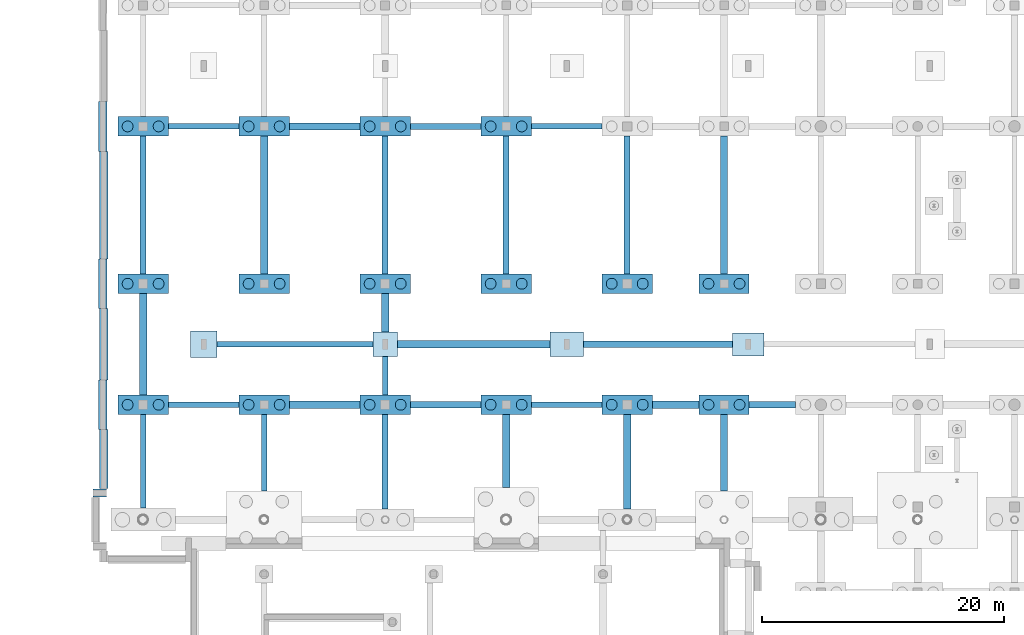
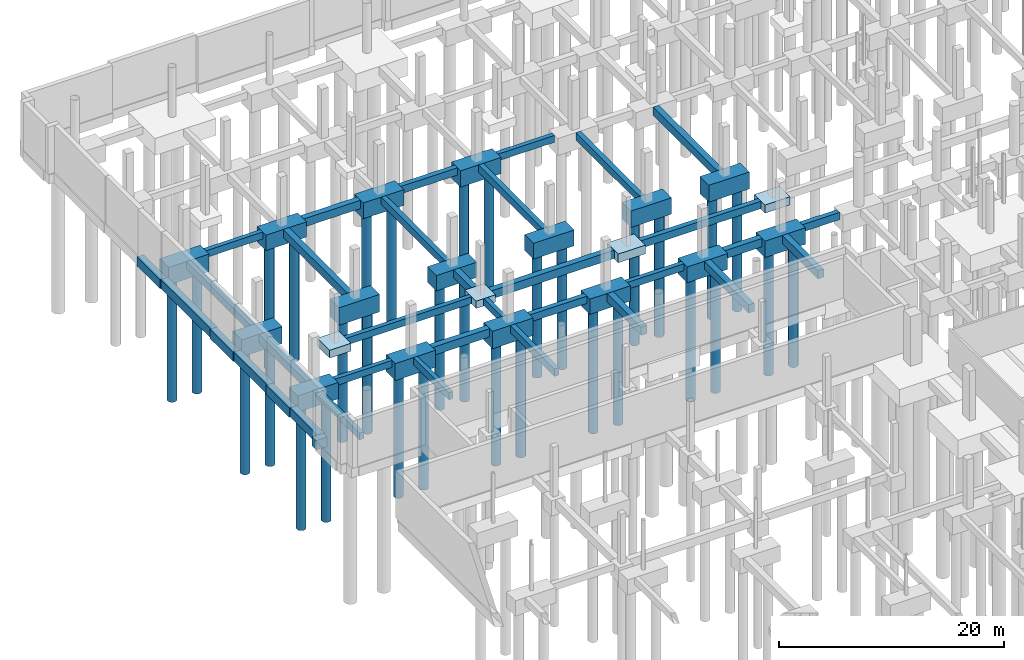
# One storey, part 12 of 65: 55 footings, 32 piles.
"""IFC4 building model written with IfcOpenShell, lengths in metres."""

from ifc_helpers import new_model, si_unit, direction, frame, origin, origin_2d, place, context, subcontext, project, spatial, rectangle, circle, extrude, material, material_profile, profile_set, type_object, element, save


model = new_model("IFC4")

# Units and contexts
model_context = context("Model", 3, precision=1e-05, world=origin(), true_north=direction((0.0, 1.0)))
body_context = subcontext(model_context, "Body", "Model", "MODEL_VIEW")
ifc_project = project(units=[si_unit("LENGTHUNIT", "METRE"), si_unit("AREAUNIT", "SQUARE_METRE"), si_unit("VOLUMEUNIT", "CUBIC_METRE"), si_unit("PLANEANGLEUNIT", "RADIAN"), si_unit("MASSUNIT", "GRAM", prefix="KILO")], contexts=[model_context])

# Site, building, storey
site_placement = place(None, origin())
site = spatial("IfcSite", under=ifc_project, at=site_placement, CompositionType="ELEMENT")
building_placement = place(site_placement, origin())
building = spatial("IfcBuilding", under=site, at=building_placement, Name="Khorjan Park Terminus", CompositionType="ELEMENT")
storey_placement = place(building_placement, frame((0.0, 0.0, -5.4)))
storey = spatial("IfcBuildingStorey", under=building, at=storey_placement, Name="B1", CompositionType="ELEMENT", Elevation=-5.4)

# Footings
ifc_material = material(Name="Concrete C40/50", Category="concrete")
ifc_material_profile_1 = material_profile(ifc_material, rectangle(XDim=0.45, YDim=0.75, at=origin_2d()), Name="RC 450x750")
ifc_profile_set_1 = profile_set([ifc_material_profile_1], Name="Concrete C40/50")
footing_type_1 = type_object("IfcFootingType", Name="FTG-GB-450x750", PredefinedType="FOOTING_BEAM", material=ifc_profile_set_1)
footing_1_placement = place(storey_placement, frame((2.083, 111.5, -0.375), z_axis=(1.0, 0.0, 0.0), x_axis=(0.0, 1.0, 0.0)))
element("IfcFooting", 1, at=footing_1_placement, inside=storey, type_object=footing_type_1, Name="Reinforced concrete ground tie beam FB-07 (107)", PredefinedType="FOOTING_BEAM", context=body_context, shape_type="SweptSolid", body=[
    extrude(rectangle(XDim=0.45, YDim=0.75, at=origin_2d()), origin(), (0.0, 0.0, 1.0), 5.835),
])
footing_2_placement = place(storey_placement, frame((32.083, 111.5, -0.375), z_axis=(1.0, 0.0, 0.0), x_axis=(0.0, 1.0, 0.0)))
element("IfcFooting", 2, at=footing_2_placement, inside=storey, type_object=footing_type_1, Name="Reinforced concrete ground tie beam FB-07 (110)", PredefinedType="FOOTING_BEAM", context=body_context, shape_type="SweptSolid", body=[
    extrude(rectangle(XDim=0.45, YDim=0.75, at=origin_2d()), origin(), (0.0, 0.0, 1.0), 5.834),
])
footing_3_placement = place(storey_placement, frame((6.1, 116.5, -0.375), z_axis=(1.0, 0.0, 0.0), x_axis=(0.0, 1.0, 0.0)))
element("IfcFooting", 3, at=footing_3_placement, inside=storey, type_object=footing_type_1, Name="Reinforced concrete ground tie beam FB-07 (125)", PredefinedType="FOOTING_BEAM", context=body_context, shape_type="SweptSolid", body=[
    extrude(rectangle(XDim=0.45, YDim=0.75, at=origin_2d()), origin(), (0.0, 0.0, 1.0), 12.9),
])
footing_4_placement = place(storey_placement, frame((2.083, 134.5, -0.375), z_axis=(1.0, 0.0, 0.0), x_axis=(0.0, 1.0, 0.0)))
element("IfcFooting", 4, at=footing_4_placement, inside=storey, type_object=footing_type_1, Name="Reinforced concrete ground tie beam FB-07 (134)", PredefinedType="FOOTING_BEAM", context=body_context, shape_type="SweptSolid", body=[
    extrude(rectangle(XDim=0.45, YDim=0.75, at=origin_2d()), origin(), (0.0, 0.0, 1.0), 5.835),
])
footing_5_placement = place(storey_placement, frame((32.083, 134.5, -0.375), z_axis=(1.0, 0.0, 0.0), x_axis=(0.0, 1.0, 0.0)))
element("IfcFooting", 5, at=footing_5_placement, inside=storey, type_object=footing_type_1, Name="Reinforced concrete ground tie beam FB-07 (137)", PredefinedType="FOOTING_BEAM", context=body_context, shape_type="SweptSolid", body=[
    extrude(rectangle(XDim=0.45, YDim=0.75, at=origin_2d()), origin(), (0.0, 0.0, 1.0), 5.834),
])
footing_6_placement = place(storey_placement, frame((0.0, 102.95, -0.375), z_axis=(0.0, 1.0, 0.0), x_axis=(-1.0, 0.0, 0.0)))
element("IfcFooting", 6, at=footing_6_placement, inside=storey, type_object=footing_type_1, Name="Reinforced concrete ground tie beam FB-07 (182)", PredefinedType="FOOTING_BEAM", context=body_context, shape_type="SweptSolid", body=[
    extrude(rectangle(XDim=0.45, YDim=0.75, at=origin_2d()), origin(), (0.0, 0.0, 1.0), 7.75),
])
footing_7_placement = place(storey_placement, frame((10.0, 104.371, -0.375), z_axis=(0.0, 1.0, 0.0), x_axis=(-1.0, 0.0, 0.0)))
element("IfcFooting", 7, at=footing_7_placement, inside=storey, type_object=footing_type_1, Name="Reinforced concrete ground tie beam FB-07 (191)", PredefinedType="FOOTING_BEAM", context=body_context, shape_type="SweptSolid", body=[
    extrude(rectangle(XDim=0.45, YDim=0.75, at=origin_2d()), origin(), (0.0, 0.0, 1.0), 6.329),
])
footing_8_placement = place(storey_placement, frame((20.0, 112.3, -0.375), z_axis=(0.0, 1.0, 0.0), x_axis=(-1.0, 0.0, 0.0)))
element("IfcFooting", 8, at=footing_8_placement, inside=storey, type_object=footing_type_1, Name="Reinforced concrete ground tie beam FB-07 (197)", PredefinedType="FOOTING_BEAM", context=body_context, shape_type="SweptSolid", body=[
    extrude(rectangle(XDim=0.45, YDim=0.75, at=origin_2d()), origin(), (0.0, 0.0, 1.0), 3.2),
])
ifc_material_profile_2 = material_profile(ifc_material, rectangle(XDim=0.5, YDim=0.8, at=origin_2d()), Name="RC 500x800")
ifc_profile_set_2 = profile_set([ifc_material_profile_2], Name="Concrete C40/50")
footing_type_2 = type_object("IfcFootingType", Name="FTG-GB-500x800", PredefinedType="FOOTING_BEAM", material=ifc_profile_set_2)
footing_9_placement = place(storey_placement, frame((22.082, 111.5, -0.4), z_axis=(1.0, 0.0, 0.0), x_axis=(0.0, 1.0, 0.0)))
element("IfcFooting", 9, at=footing_9_placement, inside=storey, type_object=footing_type_2, Name="Reinforced concrete ground tie beam FB-08 (109)", PredefinedType="FOOTING_BEAM", context=body_context, shape_type="SweptSolid", body=[
    extrude(rectangle(XDim=0.5, YDim=0.8, at=origin_2d()), origin(), (0.0, 0.0, 1.0), 5.836),
])
footing_10_placement = place(storey_placement, frame((50.083, 111.5, -0.4), z_axis=(1.0, 0.0, 0.0), x_axis=(0.0, 1.0, 0.0)))
element("IfcFooting", 10, at=footing_10_placement, inside=storey, type_object=footing_type_2, Name="Reinforced concrete ground tie beam FB-08 (112)", PredefinedType="FOOTING_BEAM", context=body_context, shape_type="SweptSolid", body=[
    extrude(rectangle(XDim=0.5, YDim=0.8, at=origin_2d()), origin(), (0.0, 0.0, 1.0), 3.834),
])
footing_11_placement = place(storey_placement, frame((36.4, 116.5, -0.4), z_axis=(1.0, 0.0, 0.0), x_axis=(0.0, 1.0, 0.0)))
element("IfcFooting", 11, at=footing_11_placement, inside=storey, type_object=footing_type_2, Name="Reinforced concrete ground tie beam FB-08 (127)", PredefinedType="FOOTING_BEAM", context=body_context, shape_type="SweptSolid", body=[
    extrude(rectangle(XDim=0.5, YDim=0.8, at=origin_2d()), origin(), (0.0, 0.0, 1.0), 12.3),
])
footing_12_placement = place(storey_placement, frame((22.082, 134.5, -0.4), z_axis=(1.0, 0.0, 0.0), x_axis=(0.0, 1.0, 0.0)))
element("IfcFooting", 12, at=footing_12_placement, inside=storey, type_object=footing_type_2, Name="Reinforced concrete ground tie beam FB-08 (136)", PredefinedType="FOOTING_BEAM", context=body_context, shape_type="SweptSolid", body=[
    extrude(rectangle(XDim=0.5, YDim=0.8, at=origin_2d()), origin(), (0.0, 0.0, 1.0), 5.836),
])
footing_13_placement = place(storey_placement, frame((0.0, 122.3, -0.4), z_axis=(0.0, 1.0, 0.0), x_axis=(-1.0, 0.0, 0.0)))
element("IfcFooting", 13, at=footing_13_placement, inside=storey, type_object=footing_type_2, Name="Reinforced concrete ground tie beam FB-08 (184)", PredefinedType="FOOTING_BEAM", context=body_context, shape_type="SweptSolid", body=[
    extrude(rectangle(XDim=0.5, YDim=0.8, at=origin_2d()), origin(), (0.0, 0.0, 1.0), 11.4),
])
footing_14_placement = place(storey_placement, frame((20.0, 102.875, -0.4), z_axis=(0.0, 1.0, 0.0), x_axis=(-1.0, 0.0, 0.0)))
element("IfcFooting", 14, at=footing_14_placement, inside=storey, type_object=footing_type_2, Name="Reinforced concrete ground tie beam FB-08 (196)", PredefinedType="FOOTING_BEAM", context=body_context, shape_type="SweptSolid", body=[
    extrude(rectangle(XDim=0.5, YDim=0.8, at=origin_2d()), origin(), (0.0, 0.0, 1.0), 7.825),
])
for number, where, z_axis, x_axis, name in (
    (15, (20.0, 122.3, -0.4), (0.0, 1.0, 0.0), (-1.0, 0.0, 0.0), "Reinforced concrete ground tie beam FB-08 (199)"),
    (16, (30.0, 122.3, -0.4), (0.0, 1.0, 0.0), (-1.0, 0.0, 0.0), "Reinforced concrete ground tie beam FB-08 (208)"),
    (17, (40.0, 122.3, -0.4), (0.0, 1.0, 0.0), (-1.0, 0.0, 0.0), "Reinforced concrete ground tie beam FB-08 (217)"),
):
    element("IfcFooting", number, at=place(storey_placement, frame(where, z_axis=z_axis, x_axis=x_axis)), inside=storey, type_object=footing_type_2, Name=name, PredefinedType="FOOTING_BEAM", context=body_context, shape_type="SweptSolid", body=[
        extrude(rectangle(XDim=0.5, YDim=0.8, at=origin_2d()), origin(), (0.0, 0.0, 1.0), 11.4),
    ])
ifc_material_profile_3 = material_profile(ifc_material, rectangle(XDim=0.6, YDim=0.9, at=origin_2d()), Name="RC 600x900")
ifc_profile_set_3 = profile_set([ifc_material_profile_3], Name="Concrete C40/50")
footing_type_3 = type_object("IfcFootingType", Name="FTG-GB-600x900", PredefinedType="FOOTING_BEAM", material=ifc_profile_set_3)
footing_15_placement = place(storey_placement, frame((12.082, 111.5, -0.45), z_axis=(1.0, 0.0, 0.0), x_axis=(0.0, 1.0, 0.0)))
element("IfcFooting", 18, at=footing_15_placement, inside=storey, type_object=footing_type_3, Name="Reinforced concrete ground tie beam FB-09 (108)", PredefinedType="FOOTING_BEAM", context=body_context, shape_type="SweptSolid", body=[
    extrude(rectangle(XDim=0.6, YDim=0.9, at=origin_2d()), origin(), (0.0, 0.0, 1.0), 5.836),
])
footing_16_placement = place(storey_placement, frame((42.083, 111.5, -0.45), z_axis=(1.0, 0.0, 0.0), x_axis=(0.0, 1.0, 0.0)))
element("IfcFooting", 19, at=footing_16_placement, inside=storey, type_object=footing_type_3, Name="Reinforced concrete ground tie beam FB-09 (111)", PredefinedType="FOOTING_BEAM", context=body_context, shape_type="SweptSolid", body=[
    extrude(rectangle(XDim=0.6, YDim=0.9, at=origin_2d()), origin(), (0.0, 0.0, 1.0), 3.834),
])
footing_17_placement = place(storey_placement, frame((21.0, 116.5, -0.45), z_axis=(1.0, 0.0, 0.0), x_axis=(0.0, 1.0, 0.0)))
element("IfcFooting", 20, at=footing_17_placement, inside=storey, type_object=footing_type_3, Name="Reinforced concrete ground tie beam FB-09 (126)", PredefinedType="FOOTING_BEAM", context=body_context, shape_type="SweptSolid", body=[
    extrude(rectangle(XDim=0.6, YDim=0.9, at=origin_2d()), origin(), (0.0, 0.0, 1.0), 12.6),
])
footing_18_placement = place(storey_placement, frame((12.082, 134.5, -0.45), z_axis=(1.0, 0.0, 0.0), x_axis=(0.0, 1.0, 0.0)))
element("IfcFooting", 21, at=footing_18_placement, inside=storey, type_object=footing_type_3, Name="Reinforced concrete ground tie beam FB-09 (135)", PredefinedType="FOOTING_BEAM", context=body_context, shape_type="SweptSolid", body=[
    extrude(rectangle(XDim=0.6, YDim=0.9, at=origin_2d()), origin(), (0.0, 0.0, 1.0), 5.836),
])
footing_19_placement = place(storey_placement, frame((0.0, 112.3, -0.45), z_axis=(0.0, 1.0, 0.0), x_axis=(-1.0, 0.0, 0.0)))
element("IfcFooting", 22, at=footing_19_placement, inside=storey, type_object=footing_type_3, Name="Reinforced concrete ground tie beam FB-09 (183)", PredefinedType="FOOTING_BEAM", context=body_context, shape_type="SweptSolid", body=[
    extrude(rectangle(XDim=0.6, YDim=0.9, at=origin_2d()), origin(), (0.0, 0.0, 1.0), 8.4),
])
footing_20_placement = place(storey_placement, frame((10.0, 122.3, -0.45), z_axis=(0.0, 1.0, 0.0), x_axis=(-1.0, 0.0, 0.0)))
element("IfcFooting", 23, at=footing_20_placement, inside=storey, type_object=footing_type_3, Name="Reinforced concrete ground tie beam FB-09 (192)", PredefinedType="FOOTING_BEAM", context=body_context, shape_type="SweptSolid", body=[
    extrude(rectangle(XDim=0.6, YDim=0.9, at=origin_2d()), origin(), (0.0, 0.0, 1.0), 11.4),
])
footing_21_placement = place(storey_placement, frame((20.0, 117.5, -0.45), z_axis=(0.0, 1.0, 0.0), x_axis=(-1.0, 0.0, 0.0)))
element("IfcFooting", 24, at=footing_21_placement, inside=storey, type_object=footing_type_3, Name="Reinforced concrete ground tie beam FB-09 (198)", PredefinedType="FOOTING_BEAM", context=body_context, shape_type="SweptSolid", body=[
    extrude(rectangle(XDim=0.6, YDim=0.9, at=origin_2d()), origin(), (0.0, 0.0, 1.0), 3.2),
])
footing_22_placement = place(storey_placement, frame((30.0, 104.66, -0.45), z_axis=(0.0, 1.0, 0.0), x_axis=(-1.0, 0.0, 0.0)))
element("IfcFooting", 25, at=footing_22_placement, inside=storey, type_object=footing_type_3, Name="Reinforced concrete ground tie beam FB-09 (207)", PredefinedType="FOOTING_BEAM", context=body_context, shape_type="SweptSolid", body=[
    extrude(rectangle(XDim=0.6, YDim=0.9, at=origin_2d()), origin(), (0.0, 0.0, 1.0), 6.04),
])
footing_23_placement = place(storey_placement, frame((40.0, 102.875, -0.45), z_axis=(0.0, 1.0, 0.0), x_axis=(-1.0, 0.0, 0.0)))
element("IfcFooting", 26, at=footing_23_placement, inside=storey, type_object=footing_type_3, Name="Reinforced concrete ground tie beam FB-09 (216)", PredefinedType="FOOTING_BEAM", context=body_context, shape_type="SweptSolid", body=[
    extrude(rectangle(XDim=0.6, YDim=0.9, at=origin_2d()), origin(), (0.0, 0.0, 1.0), 7.825),
])
footing_24_placement = place(storey_placement, frame((48.0, 104.371, -0.45), z_axis=(0.0, 1.0, 0.0), x_axis=(-1.0, 0.0, 0.0)))
element("IfcFooting", 27, at=footing_24_placement, inside=storey, type_object=footing_type_3, Name="Reinforced concrete ground tie beam FB-09 (231)", PredefinedType="FOOTING_BEAM", context=body_context, shape_type="SweptSolid", body=[
    extrude(rectangle(XDim=0.6, YDim=0.9, at=origin_2d()), origin(), (0.0, 0.0, 1.0), 6.329),
])
footing_25_placement = place(storey_placement, frame((48.0, 122.3, -0.45), z_axis=(0.0, 1.0, 0.0), x_axis=(-1.0, 0.0, 0.0)))
element("IfcFooting", 28, at=footing_25_placement, inside=storey, type_object=footing_type_3, Name="Reinforced concrete ground tie beam FB-09 (232)", PredefinedType="FOOTING_BEAM", context=body_context, shape_type="SweptSolid", body=[
    extrude(rectangle(XDim=0.6, YDim=0.9, at=origin_2d()), origin(), (0.0, 0.0, 1.0), 11.4),
])
footing_type_4 = type_object("IfcFootingType", Name="FTG-PAD-2000", PredefinedType="PAD_FOOTING", material=ifc_material)
footing_26_placement = place(storey_placement, frame((20.0, 116.5, -0.8), z_axis=(0.0, 0.0, 1.0), x_axis=(1.0, 0.0, 0.0)))
element("IfcFooting", 29, at=footing_26_placement, inside=storey, type_object=footing_type_4, Name="Reinforced concrete pad footing PF-20 (2)", PredefinedType="PAD_FOOTING", context=body_context, shape_type="SweptSolid", body=[
    extrude(rectangle(XDim=2.0, YDim=2.0, at=origin_2d()), origin(), (0.0, 0.0, 1.0), 0.8),
])
footing_type_5 = type_object("IfcFootingType", Name="FTG-PAD-2200", PredefinedType="PAD_FOOTING", material=ifc_material)
footing_27_placement = place(storey_placement, frame((5.0, 116.5, -0.85), z_axis=(0.0, 0.0, 1.0), x_axis=(1.0, 0.0, 0.0)))
element("IfcFooting", 30, at=footing_27_placement, inside=storey, type_object=footing_type_5, Name="Reinforced concrete pad footing PF-22 (1)", PredefinedType="PAD_FOOTING", context=body_context, shape_type="SweptSolid", body=[
    extrude(rectangle(XDim=2.2, YDim=2.2, at=origin_2d()), origin(), (0.0, 0.0, 1.0), 0.85),
])
footing_type_6 = type_object("IfcFootingType", Name="FTG-PAD-2600x1900", PredefinedType="PAD_FOOTING", material=ifc_material)
footing_28_placement = place(storey_placement, frame((50.0, 116.5, -0.88), z_axis=(0.0, 0.0, 1.0), x_axis=(1.0, 0.0, 0.0)))
element("IfcFooting", 31, at=footing_28_placement, inside=storey, type_object=footing_type_6, Name="Reinforced concrete pad footing PF-26 (4)", PredefinedType="PAD_FOOTING", context=body_context, shape_type="SweptSolid", body=[
    extrude(rectangle(XDim=2.6, YDim=1.9, at=origin_2d()), origin(), (0.0, 0.0, 1.0), 0.88),
])
footing_type_7 = type_object("IfcFootingType", Name="FTG-PAD-2800x2000", PredefinedType="PAD_FOOTING", material=ifc_material)
footing_29_placement = place(storey_placement, frame((35.0, 116.5, -0.95), z_axis=(0.0, 0.0, 1.0), x_axis=(1.0, 0.0, 0.0)))
element("IfcFooting", 32, at=footing_29_placement, inside=storey, type_object=footing_type_7, Name="Reinforced concrete pad footing PF-28 (3)", PredefinedType="PAD_FOOTING", context=body_context, shape_type="SweptSolid", body=[
    extrude(rectangle(XDim=2.8, YDim=2.0, at=origin_2d()), origin(), (0.0, 0.0, 1.0), 0.95),
])
footing_type_8 = type_object("IfcFootingType", Name="FTG-PC-02", PredefinedType="PILE_CAP", material=ifc_material)
footing_30_placement = place(storey_placement, frame((0.0, 134.5, -1.9), z_axis=(0.0, 0.0, 1.0), x_axis=(1.0, 0.0, 0.0)))
element("IfcFooting", 33, at=footing_30_placement, inside=storey, type_object=footing_type_8, Name="Reinforced concrete pile cap PC-02 (7)", PredefinedType="PILE_CAP", context=body_context, shape_type="SweptSolid", body=[
    extrude(rectangle(XDim=4.166, YDim=1.6, at=origin_2d()), origin(), (0.0, 0.0, 1.0), 1.9),
])
footing_type_9 = type_object("IfcFootingType", Name="FTG-PC-05", PredefinedType="PILE_CAP", material=ifc_material)
footing_31_placement = place(storey_placement, frame((0.0, 111.5, -1.78), z_axis=(0.0, 0.0, 1.0), x_axis=(1.0, 0.0, 0.0)))
element("IfcFooting", 34, at=footing_31_placement, inside=storey, type_object=footing_type_9, Name="Reinforced concrete pile cap PC-05 (5)", PredefinedType="PILE_CAP", context=body_context, shape_type="SweptSolid", body=[
    extrude(rectangle(XDim=4.166, YDim=1.6, at=origin_2d()), origin(), (0.0, 0.0, 1.0), 1.78),
])
footing_32_placement = place(storey_placement, frame((30.0005, 134.5, -1.78), z_axis=(0.0, 0.0, 1.0), x_axis=(1.0, 0.0, 0.0)))
element("IfcFooting", 35, at=footing_32_placement, inside=storey, type_object=footing_type_9, Name="Reinforced concrete pile cap PC-05 (46)", PredefinedType="PILE_CAP", context=body_context, shape_type="SweptSolid", body=[
    extrude(rectangle(XDim=4.165, YDim=1.6, at=origin_2d()), origin(), (0.0, 0.0, 1.0), 1.78),
])
for number, where, z_axis, x_axis, name in (
    (36, (40.0, 121.5, -1.78), (0.0, 0.0, 1.0), (1.0, 0.0, 0.0), "Reinforced concrete pile cap PC-05 (57)"),
    (37, (48.0, 111.5, -1.78), (0.0, 0.0, 1.0), (1.0, 0.0, 0.0), "Reinforced concrete pile cap PC-05 (74)"),
):
    element("IfcFooting", number, at=place(storey_placement, frame(where, z_axis=z_axis, x_axis=x_axis)), inside=storey, type_object=footing_type_9, Name=name, PredefinedType="PILE_CAP", context=body_context, shape_type="SweptSolid", body=[
        extrude(rectangle(XDim=4.166, YDim=1.6, at=origin_2d()), origin(), (0.0, 0.0, 1.0), 1.78),
    ])
footing_type_10 = type_object("IfcFootingType", Name="FTG-PC-06", PredefinedType="PILE_CAP", material=ifc_material)
for number, where, z_axis, x_axis, name in (
    (38, (0.0, 121.5, -1.84), (0.0, 0.0, 1.0), (1.0, 0.0, 0.0), "Reinforced concrete pile cap PC-06 (6)"),
    (39, (48.0, 121.5, -1.84), (0.0, 0.0, 1.0), (1.0, 0.0, 0.0), "Reinforced concrete pile cap PC-06 (75)"),
):
    element("IfcFooting", number, at=place(storey_placement, frame(where, z_axis=z_axis, x_axis=x_axis)), inside=storey, type_object=footing_type_10, Name=name, PredefinedType="PILE_CAP", context=body_context, shape_type="SweptSolid", body=[
        extrude(rectangle(XDim=4.166, YDim=1.6, at=origin_2d()), origin(), (0.0, 0.0, 1.0), 1.84),
    ])
footing_type_11 = type_object("IfcFootingType", Name="FTG-PC-07", PredefinedType="PILE_CAP", material=ifc_material)
footing_33_placement = place(storey_placement, frame((30.0005, 111.5, -1.66), z_axis=(0.0, 0.0, 1.0), x_axis=(1.0, 0.0, 0.0)))
element("IfcFooting", 40, at=footing_33_placement, inside=storey, type_object=footing_type_11, Name="Reinforced concrete pile cap PC-07 (44)", PredefinedType="PILE_CAP", context=body_context, shape_type="SweptSolid", body=[
    extrude(rectangle(XDim=4.165, YDim=1.6, at=origin_2d()), origin(), (0.0, 0.0, 1.0), 1.66),
])
footing_type_12 = type_object("IfcFootingType", Name="FTG-PC-08", PredefinedType="PILE_CAP", material=ifc_material)
footing_34_placement = place(storey_placement, frame((30.0005, 121.5, -1.72), z_axis=(0.0, 0.0, 1.0), x_axis=(1.0, 0.0, 0.0)))
element("IfcFooting", 41, at=footing_34_placement, inside=storey, type_object=footing_type_12, Name="Reinforced concrete pile cap PC-08 (45)", PredefinedType="PILE_CAP", context=body_context, shape_type="SweptSolid", body=[
    extrude(rectangle(XDim=4.165, YDim=1.6, at=origin_2d()), origin(), (0.0, 0.0, 1.0), 1.72),
])
footing_35_placement = place(storey_placement, frame((40.0, 111.5, -1.72), z_axis=(0.0, 0.0, 1.0), x_axis=(1.0, 0.0, 0.0)))
element("IfcFooting", 42, at=footing_35_placement, inside=storey, type_object=footing_type_12, Name="Reinforced concrete pile cap PC-08 (56)", PredefinedType="PILE_CAP", context=body_context, shape_type="SweptSolid", body=[
    extrude(rectangle(XDim=4.166, YDim=1.6, at=origin_2d()), origin(), (0.0, 0.0, 1.0), 1.72),
])
footing_type_13 = type_object("IfcFootingType", Name="FTG-PC-11", PredefinedType="PILE_CAP", material=ifc_material)
footing_36_placement = place(storey_placement, frame((10.0, 111.5, -1.84), z_axis=(0.0, 0.0, 1.0), x_axis=(1.0, 0.0, 0.0)))
element("IfcFooting", 43, at=footing_36_placement, inside=storey, type_object=footing_type_13, Name="Reinforced concrete pile cap PC-11 (14)", PredefinedType="PILE_CAP", context=body_context, shape_type="SweptSolid", body=[
    extrude(rectangle(XDim=4.164, YDim=1.6, at=origin_2d()), origin(), (0.0, 0.0, 1.0), 1.84),
])
footing_type_14 = type_object("IfcFootingType", Name="FTG-PC-12", PredefinedType="PILE_CAP", material=ifc_material)
for number, where, z_axis, x_axis, name in (
    (44, (10.0, 121.5, -1.9), (0.0, 0.0, 1.0), (1.0, 0.0, 0.0), "Reinforced concrete pile cap PC-12 (15)"),
    (45, (20.0, 111.5, -1.9), (0.0, 0.0, 1.0), (1.0, 0.0, 0.0), "Reinforced concrete pile cap PC-12 (28)"),
):
    element("IfcFooting", number, at=place(storey_placement, frame(where, z_axis=z_axis, x_axis=x_axis)), inside=storey, type_object=footing_type_14, Name=name, PredefinedType="PILE_CAP", context=body_context, shape_type="SweptSolid", body=[
        extrude(rectangle(XDim=4.164, YDim=1.6, at=origin_2d()), origin(), (0.0, 0.0, 1.0), 1.9),
    ])
footing_type_15 = type_object("IfcFootingType", Name="FTG-PC-13", PredefinedType="PILE_CAP", material=ifc_material)
for number, where, z_axis, x_axis, name in (
    (46, (10.0, 134.5, -1.66), (0.0, 0.0, 1.0), (1.0, 0.0, 0.0), "Reinforced concrete pile cap PC-13 (16)"),
    (47, (20.0, 121.5, -1.66), (0.0, 0.0, 1.0), (1.0, 0.0, 0.0), "Reinforced concrete pile cap PC-13 (29)"),
):
    element("IfcFooting", number, at=place(storey_placement, frame(where, z_axis=z_axis, x_axis=x_axis)), inside=storey, type_object=footing_type_15, Name=name, PredefinedType="PILE_CAP", context=body_context, shape_type="SweptSolid", body=[
        extrude(rectangle(XDim=4.164, YDim=1.6, at=origin_2d()), origin(), (0.0, 0.0, 1.0), 1.66),
    ])
footing_type_16 = type_object("IfcFootingType", Name="FTG-PC-14", PredefinedType="PILE_CAP", material=ifc_material)
footing_37_placement = place(storey_placement, frame((20.0, 134.5, -1.72), z_axis=(0.0, 0.0, 1.0), x_axis=(1.0, 0.0, 0.0)))
element("IfcFooting", 48, at=footing_37_placement, inside=storey, type_object=footing_type_16, Name="Reinforced concrete pile cap PC-14 (30)", PredefinedType="PILE_CAP", context=body_context, shape_type="SweptSolid", body=[
    extrude(rectangle(XDim=4.164, YDim=1.6, at=origin_2d()), origin(), (0.0, 0.0, 1.0), 1.72),
])
ifc_material_profile_4 = material_profile(ifc_material, rectangle(XDim=0.7, YDim=1.0, at=origin_2d()), Name="RC 700x1000")
ifc_profile_set_4 = profile_set([ifc_material_profile_4], Name="Concrete C40/50")
footing_type_17 = type_object("IfcFootingType", Name="FTG-SF-700x1000", PredefinedType="STRIP_FOOTING", material=ifc_profile_set_4)
footing_38_placement = place(storey_placement, frame((-4.16, 104.21, -0.5), z_axis=(1.0, 0.0, 0.0), x_axis=(0.0, 1.0, 0.0)))
element("IfcFooting", 49, at=footing_38_placement, inside=storey, type_object=footing_type_17, Name="Reinforced concrete wall strip footing SF-07 (30)", PredefinedType="STRIP_FOOTING", context=body_context, shape_type="SweptSolid", body=[
    extrude(rectangle(XDim=0.7, YDim=1.0, at=origin_2d()), origin(), (0.0, 0.0, 1.0), 1.14),
])
footing_39_placement = place(storey_placement, frame((-3.26, 123.56, -0.5), z_axis=(0.0, 1.0, 0.0), x_axis=(-1.0, 0.0, 0.0)))
element("IfcFooting", 50, at=footing_39_placement, inside=storey, type_object=footing_type_17, Name="Reinforced concrete wall strip footing SF-07 (66)", PredefinedType="STRIP_FOOTING", context=body_context, shape_type="SweptSolid", body=[
    extrude(rectangle(XDim=0.7, YDim=1.0, at=origin_2d()), origin(), (0.0, 0.0, 1.0), 8.88),
])
footing_40_placement = place(storey_placement, frame((-3.26, 113.56, -0.5), z_axis=(0.0, 1.0, 0.0), x_axis=(-1.0, 0.0, 0.0)))
element("IfcFooting", 51, at=footing_40_placement, inside=storey, type_object=footing_type_17, Name="Reinforced concrete wall strip footing SF-07 (80)", PredefinedType="STRIP_FOOTING", context=body_context, shape_type="SweptSolid", body=[
    extrude(rectangle(XDim=0.7, YDim=1.0, at=origin_2d()), origin(), (0.0, 0.0, 1.0), 5.88),
])
footing_41_placement = place(storey_placement, frame((-3.26, 104.563, -0.5), z_axis=(0.0, 1.0, 0.0), x_axis=(-1.0, 0.0, 0.0)))
element("IfcFooting", 52, at=footing_41_placement, inside=storey, type_object=footing_type_17, Name="Reinforced concrete wall strip footing SF-07 (82)", PredefinedType="STRIP_FOOTING", context=body_context, shape_type="SweptSolid", body=[
    extrude(rectangle(XDim=0.7, YDim=1.0, at=origin_2d()), origin(), (0.0, 0.0, 1.0), 4.877),
])
for number, where, z_axis, x_axis, name in (
    (53, (-3.343, 109.443, -0.5), (0.0, 1.0, 0.0), (-1.0, 0.0, 0.0), "Reinforced concrete wall strip footing SF-07 (84)"),
    (54, (-3.343, 119.443, -0.5), (0.0, 1.0, 0.0), (-1.0, 0.0, 0.0), "Reinforced concrete wall strip footing SF-07 (85)"),
    (55, (-3.343, 132.443, -0.5), (0.0, 1.0, 0.0), (-1.0, 0.0, 0.0), "Reinforced concrete wall strip footing SF-07 (86)"),
):
    element("IfcFooting", number, at=place(storey_placement, frame(where, z_axis=z_axis, x_axis=x_axis)), inside=storey, type_object=footing_type_17, Name=name, PredefinedType="STRIP_FOOTING", context=body_context, shape_type="SweptSolid", body=[
        extrude(rectangle(XDim=0.7, YDim=1.0, at=origin_2d()), origin(), (0.0, 0.0, 1.0), 4.114),
    ])

# Piles
ifc_material_profile_5 = material_profile(ifc_material, circle(Radius=0.45, at=origin_2d()), Name="BORED D900")
ifc_profile_set_5 = profile_set([ifc_material_profile_5], Name="Concrete C40/50")
pile_type = type_object("IfcPileType", Name="PL-D900", PredefinedType="BORED", material=ifc_profile_set_5)
for number, where, z_axis, x_axis, name in (
    (56, (-1.2825, 111.5, -1.68), (0.0, 0.0, -1.0), (1.0, 0.0, 0.0), "Bored rock-socketed pile PL-90 (21)"),
    (57, (1.2825, 111.5, -1.68), (0.0, 0.0, -1.0), (1.0, 0.0, 0.0), "Bored rock-socketed pile PL-90 (22)"),
):
    element("IfcPile", number, at=place(storey_placement, frame(where, z_axis=z_axis, x_axis=x_axis)), inside=storey, type_object=pile_type, Name=name, PredefinedType="BORED", context=body_context, shape_type="SweptSolid", body=[
        extrude(circle(Radius=0.45, at=origin_2d()), origin(), (0.0, 0.0, 1.0), 13.42),
    ])
for number, where, z_axis, x_axis, name in (
    (58, (-1.2825, 121.5, -1.74), (0.0, 0.0, -1.0), (1.0, 0.0, 0.0), "Bored rock-socketed pile PL-90 (23)"),
    (59, (1.2825, 121.5, -1.74), (0.0, 0.0, -1.0), (1.0, 0.0, 0.0), "Bored rock-socketed pile PL-90 (24)"),
):
    element("IfcPile", number, at=place(storey_placement, frame(where, z_axis=z_axis, x_axis=x_axis)), inside=storey, type_object=pile_type, Name=name, PredefinedType="BORED", context=body_context, shape_type="SweptSolid", body=[
        extrude(circle(Radius=0.45, at=origin_2d()), origin(), (0.0, 0.0, 1.0), 13.36),
    ])
for number, where, z_axis, x_axis, name in (
    (60, (-1.2825, 134.5, -1.8), (0.0, 0.0, -1.0), (1.0, 0.0, 0.0), "Bored rock-socketed pile PL-90 (25)"),
    (61, (1.2825, 134.5, -1.8), (0.0, 0.0, -1.0), (1.0, 0.0, 0.0), "Bored rock-socketed pile PL-90 (26)"),
):
    element("IfcPile", number, at=place(storey_placement, frame(where, z_axis=z_axis, x_axis=x_axis)), inside=storey, type_object=pile_type, Name=name, PredefinedType="BORED", context=body_context, shape_type="SweptSolid", body=[
        extrude(circle(Radius=0.45, at=origin_2d()), origin(), (0.0, 0.0, 1.0), 13.3),
    ])
for number, where, z_axis, x_axis, name in (
    (62, (8.7175, 111.5, -1.74), (0.0, 0.0, -1.0), (1.0, 0.0, 0.0), "Bored rock-socketed pile PL-90 (43)"),
    (63, (11.2825, 111.5, -1.74), (0.0, 0.0, -1.0), (1.0, 0.0, 0.0), "Bored rock-socketed pile PL-90 (44)"),
):
    element("IfcPile", number, at=place(storey_placement, frame(where, z_axis=z_axis, x_axis=x_axis)), inside=storey, type_object=pile_type, Name=name, PredefinedType="BORED", context=body_context, shape_type="SweptSolid", body=[
        extrude(circle(Radius=0.45, at=origin_2d()), origin(), (0.0, 0.0, 1.0), 13.36),
    ])
for number, where, z_axis, x_axis, name in (
    (64, (8.7175, 121.5, -1.8), (0.0, 0.0, -1.0), (1.0, 0.0, 0.0), "Bored rock-socketed pile PL-90 (45)"),
    (65, (11.2825, 121.5, -1.8), (0.0, 0.0, -1.0), (1.0, 0.0, 0.0), "Bored rock-socketed pile PL-90 (46)"),
):
    element("IfcPile", number, at=place(storey_placement, frame(where, z_axis=z_axis, x_axis=x_axis)), inside=storey, type_object=pile_type, Name=name, PredefinedType="BORED", context=body_context, shape_type="SweptSolid", body=[
        extrude(circle(Radius=0.45, at=origin_2d()), origin(), (0.0, 0.0, 1.0), 13.3),
    ])
for number, where, z_axis, x_axis, name in (
    (66, (8.7175, 134.5, -1.56), (0.0, 0.0, -1.0), (1.0, 0.0, 0.0), "Bored rock-socketed pile PL-90 (47)"),
    (67, (11.2825, 134.5, -1.56), (0.0, 0.0, -1.0), (1.0, 0.0, 0.0), "Bored rock-socketed pile PL-90 (48)"),
):
    element("IfcPile", number, at=place(storey_placement, frame(where, z_axis=z_axis, x_axis=x_axis)), inside=storey, type_object=pile_type, Name=name, PredefinedType="BORED", context=body_context, shape_type="SweptSolid", body=[
        extrude(circle(Radius=0.45, at=origin_2d()), origin(), (0.0, 0.0, 1.0), 13.54),
    ])
for number, where, z_axis, x_axis, name in (
    (68, (18.7175, 111.5, -1.8), (0.0, 0.0, -1.0), (1.0, 0.0, 0.0), "Bored rock-socketed pile PL-90 (68)"),
    (69, (21.2825, 111.5, -1.8), (0.0, 0.0, -1.0), (1.0, 0.0, 0.0), "Bored rock-socketed pile PL-90 (69)"),
):
    element("IfcPile", number, at=place(storey_placement, frame(where, z_axis=z_axis, x_axis=x_axis)), inside=storey, type_object=pile_type, Name=name, PredefinedType="BORED", context=body_context, shape_type="SweptSolid", body=[
        extrude(circle(Radius=0.45, at=origin_2d()), origin(), (0.0, 0.0, 1.0), 13.3),
    ])
for number, where, z_axis, x_axis, name in (
    (70, (18.7175, 121.5, -1.56), (0.0, 0.0, -1.0), (1.0, 0.0, 0.0), "Bored rock-socketed pile PL-90 (70)"),
    (71, (21.2825, 121.5, -1.56), (0.0, 0.0, -1.0), (1.0, 0.0, 0.0), "Bored rock-socketed pile PL-90 (71)"),
):
    element("IfcPile", number, at=place(storey_placement, frame(where, z_axis=z_axis, x_axis=x_axis)), inside=storey, type_object=pile_type, Name=name, PredefinedType="BORED", context=body_context, shape_type="SweptSolid", body=[
        extrude(circle(Radius=0.45, at=origin_2d()), origin(), (0.0, 0.0, 1.0), 13.54),
    ])
for number, where, z_axis, x_axis, name in (
    (72, (18.7175, 134.5, -1.62), (0.0, 0.0, -1.0), (1.0, 0.0, 0.0), "Bored rock-socketed pile PL-90 (72)"),
    (73, (21.2825, 134.5, -1.62), (0.0, 0.0, -1.0), (1.0, 0.0, 0.0), "Bored rock-socketed pile PL-90 (73)"),
):
    element("IfcPile", number, at=place(storey_placement, frame(where, z_axis=z_axis, x_axis=x_axis)), inside=storey, type_object=pile_type, Name=name, PredefinedType="BORED", context=body_context, shape_type="SweptSolid", body=[
        extrude(circle(Radius=0.45, at=origin_2d()), origin(), (0.0, 0.0, 1.0), 13.48),
    ])
for number, where, z_axis, x_axis, name in (
    (74, (28.7175, 111.5, -1.56), (0.0, 0.0, -1.0), (1.0, 0.0, 0.0), "Bored rock-socketed pile PL-90 (99)"),
    (75, (31.2825, 111.5, -1.56), (0.0, 0.0, -1.0), (1.0, 0.0, 0.0), "Bored rock-socketed pile PL-90 (100)"),
):
    element("IfcPile", number, at=place(storey_placement, frame(where, z_axis=z_axis, x_axis=x_axis)), inside=storey, type_object=pile_type, Name=name, PredefinedType="BORED", context=body_context, shape_type="SweptSolid", body=[
        extrude(circle(Radius=0.45, at=origin_2d()), origin(), (0.0, 0.0, 1.0), 13.54),
    ])
for number, where, z_axis, x_axis, name in (
    (76, (28.7175, 121.5, -1.62), (0.0, 0.0, -1.0), (1.0, 0.0, 0.0), "Bored rock-socketed pile PL-90 (101)"),
    (77, (31.2825, 121.5, -1.62), (0.0, 0.0, -1.0), (1.0, 0.0, 0.0), "Bored rock-socketed pile PL-90 (102)"),
):
    element("IfcPile", number, at=place(storey_placement, frame(where, z_axis=z_axis, x_axis=x_axis)), inside=storey, type_object=pile_type, Name=name, PredefinedType="BORED", context=body_context, shape_type="SweptSolid", body=[
        extrude(circle(Radius=0.45, at=origin_2d()), origin(), (0.0, 0.0, 1.0), 13.48),
    ])
for number, where, z_axis, x_axis, name in (
    (78, (28.7175, 134.5, -1.68), (0.0, 0.0, -1.0), (1.0, 0.0, 0.0), "Bored rock-socketed pile PL-90 (103)"),
    (79, (31.2825, 134.5, -1.68), (0.0, 0.0, -1.0), (1.0, 0.0, 0.0), "Bored rock-socketed pile PL-90 (104)"),
):
    element("IfcPile", number, at=place(storey_placement, frame(where, z_axis=z_axis, x_axis=x_axis)), inside=storey, type_object=pile_type, Name=name, PredefinedType="BORED", context=body_context, shape_type="SweptSolid", body=[
        extrude(circle(Radius=0.45, at=origin_2d()), origin(), (0.0, 0.0, 1.0), 13.42),
    ])
for number, where, z_axis, x_axis, name in (
    (80, (38.7175, 111.5, -1.62), (0.0, 0.0, -1.0), (1.0, 0.0, 0.0), "Bored rock-socketed pile PL-90 (120)"),
    (81, (41.2825, 111.5, -1.62), (0.0, 0.0, -1.0), (1.0, 0.0, 0.0), "Bored rock-socketed pile PL-90 (121)"),
):
    element("IfcPile", number, at=place(storey_placement, frame(where, z_axis=z_axis, x_axis=x_axis)), inside=storey, type_object=pile_type, Name=name, PredefinedType="BORED", context=body_context, shape_type="SweptSolid", body=[
        extrude(circle(Radius=0.45, at=origin_2d()), origin(), (0.0, 0.0, 1.0), 13.48),
    ])
for number, where, z_axis, x_axis, name in (
    (82, (38.7175, 121.5, -1.68), (0.0, 0.0, -1.0), (1.0, 0.0, 0.0), "Bored rock-socketed pile PL-90 (122)"),
    (83, (41.2825, 121.5, -1.68), (0.0, 0.0, -1.0), (1.0, 0.0, 0.0), "Bored rock-socketed pile PL-90 (123)"),
    (84, (46.7175, 111.5, -1.68), (0.0, 0.0, -1.0), (1.0, 0.0, 0.0), "Bored rock-socketed pile PL-90 (188)"),
    (85, (49.2825, 111.5, -1.68), (0.0, 0.0, -1.0), (1.0, 0.0, 0.0), "Bored rock-socketed pile PL-90 (189)"),
):
    element("IfcPile", number, at=place(storey_placement, frame(where, z_axis=z_axis, x_axis=x_axis)), inside=storey, type_object=pile_type, Name=name, PredefinedType="BORED", context=body_context, shape_type="SweptSolid", body=[
        extrude(circle(Radius=0.45, at=origin_2d()), origin(), (0.0, 0.0, 1.0), 13.42),
    ])
for number, where, z_axis, x_axis, name in (
    (86, (46.7175, 121.5, -1.74), (0.0, 0.0, -1.0), (1.0, 0.0, 0.0), "Bored rock-socketed pile PL-90 (190)"),
    (87, (49.2825, 121.5, -1.74), (0.0, 0.0, -1.0), (1.0, 0.0, 0.0), "Bored rock-socketed pile PL-90 (191)"),
):
    element("IfcPile", number, at=place(storey_placement, frame(where, z_axis=z_axis, x_axis=x_axis)), inside=storey, type_object=pile_type, Name=name, PredefinedType="BORED", context=body_context, shape_type="SweptSolid", body=[
        extrude(circle(Radius=0.45, at=origin_2d()), origin(), (0.0, 0.0, 1.0), 13.36),
    ])

save(model, "model.ifc")
